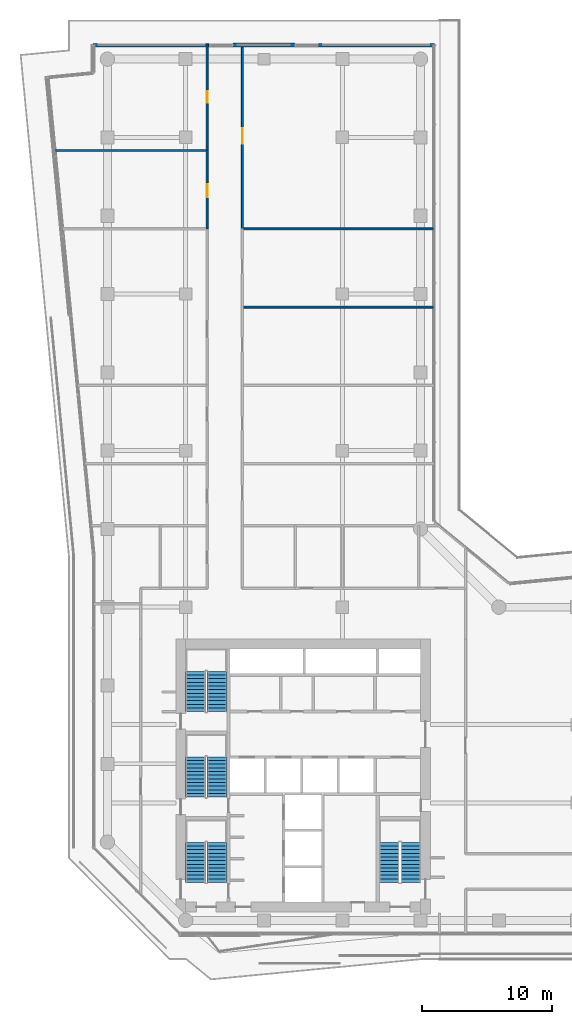
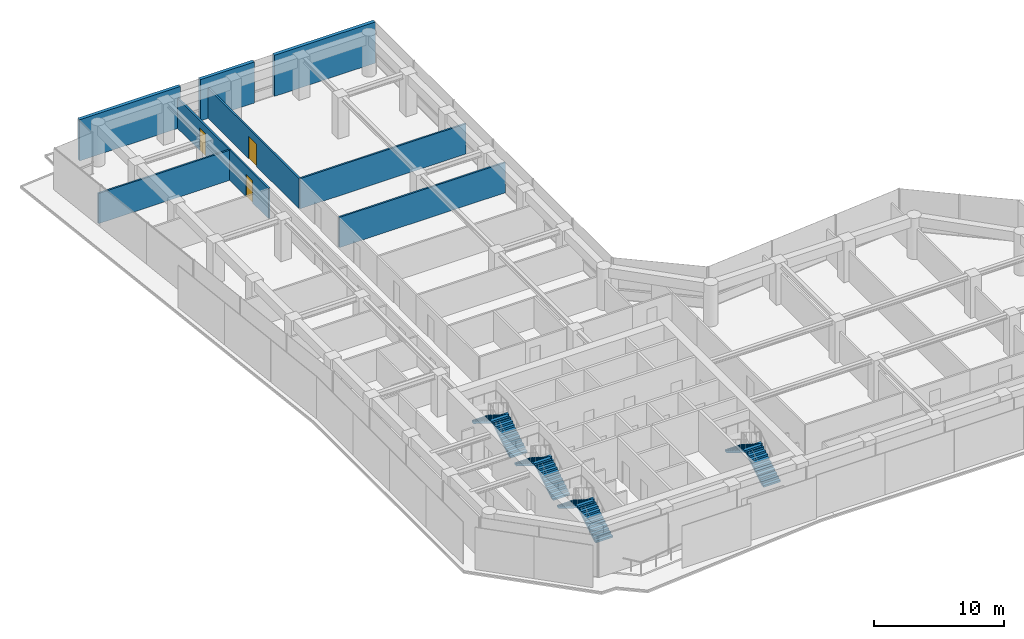
# One storey, part 26 of 28: 9 walls, 8 stair flights, 3 doors, 3 openings, 4 elements without a shape of their own.
"""IFC4 building model written with IfcOpenShell, lengths in metres."""

import ifcopenshell
import ifcopenshell.guid

model = None  # the IFC model being written
_history = None  # IfcOwnerHistory: only IFC2X3 demands one
_inside = {}  # id of a spatial element -> (the spatial element, [elements in it])
_under = {}  # id of a project, library or spatial element -> (it, [spatial elements below it])
_declared = {}  # id of a project -> (the project, [libraries it declares])
_typed = {}  # id of a type object -> (the type object, [elements of that type])
_made_of = {}  # id of a material, layer set ... -> (it, [elements and type objects made of it])


def new_model(schema):
    """Start an empty IFC model of exactly this schema.

    Asked for "IFC4X3", IfcOpenShell would pick the latest addendum, in which some entities
    have other attributes; the version numbers below select the first issue.
    IFC2X3 requires an IfcOwnerHistory on every rooted entity: one is made here for all.
    """
    global model, _history
    if schema == "IFC4X3":
        model = ifcopenshell.file(schema_version=(4, 3, 0, 0))
    else:
        model = ifcopenshell.file(schema=schema)
    _inside.clear()
    _under.clear()
    _declared.clear()
    _typed.clear()
    _made_of.clear()
    _history = None
    if model.schema == "IFC2X3":
        org = make("IfcOrganization", Name="unknown")
        user = make(
            "IfcPersonAndOrganization",
            ThePerson=make("IfcPerson", FamilyName="unknown"),
            TheOrganization=org,
        )
        app = make(
            "IfcApplication",
            ApplicationDeveloper=org,
            Version="unknown",
            ApplicationFullName="unknown",
            ApplicationIdentifier="unknown",
        )
        _history = make(
            "IfcOwnerHistory",
            OwningUser=user,
            OwningApplication=app,
            ChangeAction="ADDED",
            CreationDate=0,
        )
    return model


def make(cls, **values):
    """One entity of the class cls with the attributes given. An attribute that is None is left unset."""
    return model.create_entity(
        cls, **{name: value for name, value in values.items() if value is not None}
    )


def rooted(cls, **values):
    """An entity with a GlobalId (a new one), such as an element, a storey or a relation."""
    return make(cls, GlobalId=ifcopenshell.guid.new(), OwnerHistory=_history, **values)


def si_unit(unit_type, name, prefix=None):
    """IfcSIUnit, for example si_unit("LENGTHUNIT", "METRE", prefix="MILLI")."""
    return make("IfcSIUnit", UnitType=unit_type, Prefix=prefix, Name=name)


def assignment(units):
    """IfcUnitAssignment: the units of a project."""
    return None if units is None else make("IfcUnitAssignment", Units=units)


def point(xyz):
    """IfcCartesianPoint."""
    return None if xyz is None else make("IfcCartesianPoint", Coordinates=xyz)


def direction(xyz):
    """IfcDirection."""
    return None if xyz is None else make("IfcDirection", DirectionRatios=xyz)


def frame(location, z_axis=None, x_axis=None):
    """IfcAxis2Placement3D, a coordinate frame: its origin and axes. An axis left out is left unset."""
    return make(
        "IfcAxis2Placement3D",
        Location=point(location),
        Axis=direction(z_axis),
        RefDirection=direction(x_axis),
    )


def frame_2d(location, x_axis=None):
    """IfcAxis2Placement2D, a coordinate frame in the plane: its origin and x axis."""
    return make(
        "IfcAxis2Placement2D", Location=point(location), RefDirection=direction(x_axis)
    )


def origin():
    """The frame at (0, 0, 0) with its axes left unset."""
    return frame((0.0, 0.0, 0.0))


def place(relative_to, where):
    """IfcLocalPlacement: puts the frame where relative to a parent placement (None: the world)."""
    return make(
        "IfcLocalPlacement", PlacementRelTo=relative_to, RelativePlacement=where
    )


def context(
    kind, dimensions, precision=None, world=None, true_north=None, identifier=None
):
    """IfcGeometricRepresentationContext, for example the 3D "Model" context."""
    return make(
        "IfcGeometricRepresentationContext",
        ContextIdentifier=identifier,
        ContextType=kind,
        CoordinateSpaceDimension=dimensions,
        Precision=precision,
        WorldCoordinateSystem=world,
        TrueNorth=true_north,
    )


def subcontext(parent, identifier, kind, view, scale=None):
    """IfcGeometricRepresentationSubContext, for example "Body" below "Model"."""
    return make(
        "IfcGeometricRepresentationSubContext",
        ContextIdentifier=identifier,
        ContextType=kind,
        ParentContext=parent,
        TargetScale=scale,
        TargetView=view,
    )


def project(units=None, contexts=None):
    """IfcProject with its units and contexts."""
    return rooted(
        "IfcProject",
        Name="project",
        RepresentationContexts=contexts,
        UnitsInContext=assignment(units),
    )


def spatial(cls, under=None, at=None, **own):
    """A site, building, storey or space (cls), placed at a placement, below another one or the project."""
    s = rooted(cls, ObjectPlacement=at, **own)
    if under is not None:
        _under.setdefault(under.id(), (under, []))[1].append(s)
    return s


def polyline(points):
    """IfcPolyline through the points."""
    return make("IfcPolyline", Points=[point(p) for p in points])


def profile(cls, at=None, kind="AREA", **sizes):
    """A parametric profile (cls). Its sizes go by their IFC names, for example OverallWidth=200.0."""
    return make(cls, ProfileType=kind, Position=at, **sizes)


def rectangle(**sizes):
    """IfcRectangleProfileDef."""
    return profile("IfcRectangleProfileDef", **sizes)


def outline(outer, holes=None, kind="AREA"):
    """IfcArbitraryClosedProfileDef: a profile drawn as a closed curve; with holes, ...WithVoids."""
    if holes is None:
        return make("IfcArbitraryClosedProfileDef", ProfileType=kind, OuterCurve=outer)
    return make(
        "IfcArbitraryProfileDefWithVoids",
        ProfileType=kind,
        OuterCurve=outer,
        InnerCurves=holes,
    )


def extrude(swept, where, along, depth):
    """IfcExtrudedAreaSolid: the profile swept, set in the frame where, extruded along a direction by depth."""
    return make(
        "IfcExtrudedAreaSolid",
        SweptArea=swept,
        Position=where,
        ExtrudedDirection=direction(along),
        Depth=depth,
    )


def shape(context_of_items, identifier, shape_type, items):
    """IfcShapeRepresentation: the items that make up one representation, for example the "Body"."""
    return make(
        "IfcShapeRepresentation",
        ContextOfItems=context_of_items,
        RepresentationIdentifier=identifier,
        RepresentationType=shape_type,
        Items=items,
    )


def material(Name=None, Category=None):
    """IfcMaterial."""
    return make("IfcMaterial", Name=Name, Category=Category)


def layer(
    of_material, thickness, ventilated=None, Name=None, Category=None, Priority=None
):
    """IfcMaterialLayer: one layer of a wall or slab, of a material (None: an air gap)."""
    return make(
        "IfcMaterialLayer",
        Material=of_material,
        LayerThickness=thickness,
        IsVentilated=ventilated,
        Name=Name,
        Category=Category,
        Priority=Priority,
    )


def layer_set(layers, Name=None):
    """IfcMaterialLayerSet."""
    return make("IfcMaterialLayerSet", MaterialLayers=layers, LayerSetName=Name)


def made_of(thing, what):
    """Note that an element or type object is made of a material, layer set ...; save() writes the relation."""
    if what is not None:
        _made_of.setdefault(what.id(), (what, []))[1].append(thing)
    return thing


def type_object(cls, material=None, **own):
    """A type object (cls), such as IfcWallType, which elements share."""
    return made_of(rooted(cls, **own), material)


def element(
    cls,
    number,
    at=None,
    inside=None,
    cuts=None,
    type_object=None,
    material=None,
    context=None,
    identifier="Body",
    shape_type=None,
    held_by="IfcProductDefinitionShape",
    body=None,
    shapes=None,
    **own,
):
    """One element of the class cls, such as IfcWall. Its Tag is "e" and its number.

    at: its placement. inside: the storey or other place that contains it. cuts: it is an
    opening in that element (IfcRelVoidsElement). A single representation is given by context,
    identifier, shape_type and body (its items); several are given by shapes. held_by: the class
    of the entity that holds the representations. save() writes the other relations.
    """
    e = rooted(cls, Tag="e%d" % number, ObjectPlacement=at, **own)
    if body is not None:
        shapes = [shape(context, identifier, shape_type, body)]
    if shapes is not None:
        e.Representation = make(held_by, Representations=shapes)
    if inside is not None:
        _inside.setdefault(inside.id(), (inside, []))[1].append(e)
    if cuts is not None:
        rooted(
            "IfcRelVoidsElement", RelatingBuildingElement=cuts, RelatedOpeningElement=e
        )
    if type_object is not None:
        _typed.setdefault(type_object.id(), (type_object, []))[1].append(e)
    return made_of(e, material)


def fill(opening, filler):
    """IfcRelFillsElement: the door or window that sits in an opening."""
    return rooted(
        "IfcRelFillsElement",
        RelatingOpeningElement=opening,
        RelatedBuildingElement=filler,
    )


def aggregate(whole, parts):
    """IfcRelAggregates: a whole, such as a stair, and the parts it consists of."""
    return rooted("IfcRelAggregates", RelatingObject=whole, RelatedObjects=parts)


def save(model, path):
    """Write the relations noted so far, then the file.

    IfcRelAggregates (storeys below a building ...), IfcRelContainedInSpatialStructure (elements
    in a storey), IfcRelDefinesByType, IfcRelAssociatesMaterial and IfcRelDeclares: one each for
    every whole, place, type object, material and project.
    """
    for whole, parts in _under.values():
        aggregate(whole, parts)
    for where, things in _inside.values():
        rooted(
            "IfcRelContainedInSpatialStructure",
            RelatedElements=things,
            RelatingStructure=where,
        )
    for kind, things in _typed.values():
        rooted("IfcRelDefinesByType", RelatedObjects=things, RelatingType=kind)
    for what, things in _made_of.values():
        rooted("IfcRelAssociatesMaterial", RelatedObjects=things, RelatingMaterial=what)
    for by, libraries in _declared.values():
        rooted("IfcRelDeclares", RelatingContext=by, RelatedDefinitions=libraries)
    model.write(path)


model = new_model("IFC4")

# Units and contexts
model_context = context("Model", 3, precision=1e-05, world=origin(), true_north=direction((0.0, 1.0)))
body_context = subcontext(model_context, "Body", "Model", "MODEL_VIEW")
ifc_project = project(units=[si_unit("LENGTHUNIT", "METRE"), si_unit("AREAUNIT", "SQUARE_METRE"), si_unit("VOLUMEUNIT", "CUBIC_METRE"), si_unit("PLANEANGLEUNIT", "RADIAN"), si_unit("MASSUNIT", "GRAM", prefix="KILO")], contexts=[model_context])

# Site, building, storey
site_placement = place(None, origin())
site = spatial("IfcSite", under=ifc_project, at=site_placement, CompositionType="ELEMENT")
building_placement = place(site_placement, origin())
building = spatial("IfcBuilding", under=site, at=building_placement, Name="Welwitschia Terrace Campus", CompositionType="ELEMENT")
storey_placement = place(building_placement, frame((0.0, 0.0, 87.800048828125)))
storey = spatial("IfcBuildingStorey", under=building, at=storey_placement, Name="L19", CompositionType="ELEMENT", Elevation=87.800048828125)

# Wall
ifc_material_1 = material(Name="Gypsum board on steel studs", Category="steel")
ifc_layer_1 = layer(ifc_material_1, 0.14990234375)
ifc_layer_set_1 = layer_set([ifc_layer_1], Name="Gypsum board on steel studs")
wall_type_1 = type_object("IfcWallType", Name="Corridor partition 150 EI 30", PredefinedType="PARTITIONING", material=ifc_layer_set_1)
wall_1_placement = place(storey_placement, frame((-4.02001953125, 63.0, 0.0), z_axis=(0.0, 0.0, 1.0), x_axis=(1.0, 0.0, 0.0)))
element("IfcWall", 1, at=wall_1_placement, inside=storey, type_object=wall_type_1, Name="Partition", PredefinedType="PARTITIONING", context=body_context, shape_type="SweptSolid", body=[
    extrude(rectangle(XDim=11.669921875, YDim=0.14990234375, at=frame_2d((5.8349609375, 0.0))), origin(), (0.0, 0.0, 1.0), 2.829833984375),
])

# Wall, opening, door
wall_2_placement = place(storey_placement, frame((7.64990234375, 57.0, 0.0), z_axis=(0.0, 0.0, 1.0), x_axis=(0.0, 1.0, 0.0)))
wall_2 = element("IfcWall", 2, at=wall_2_placement, inside=storey, type_object=wall_type_1, Name="Partition", PredefinedType="PARTITIONING", context=body_context, shape_type="SweptSolid", body=[
    extrude(rectangle(XDim=6.0, YDim=0.14990234375, at=frame_2d((3.0, 0.0))), origin(), (0.0, 0.0, 1.0), 2.829833984375),
])
opening_1_placement = place(wall_2_placement, frame((2.39990234375, 0.0, 0.0)))
opening_1 = element("IfcOpeningElement", 3, at=opening_1_placement, cuts=wall_2, Name="Opening DI10", PredefinedType="OPENING", context=body_context, shape_type="SweptSolid", body=[
    extrude(rectangle(XDim=1.0, YDim=2.10009765625, at=frame_2d((0.5, 1.050048828125))), frame((0.0, 0.0849609375, 0.0), z_axis=(0.0, -1.0, 0.0), x_axis=(1.0, 0.0, 0.0)), (0.0, 0.0, 1.0), 0.169921875),
])
ifc_material_2 = material(Name="Timber veneered door", Category="wood")
door_type_1 = type_object("IfcDoorType", Name="Interior door DI10", OperationType="NOTDEFINED", PredefinedType="DOOR", material=ifc_material_2)
door_1_placement = place(opening_1_placement, origin())
door_1 = element("IfcDoor", 4, at=door_1_placement, inside=storey, type_object=door_type_1, Name="Door L19 425", OperationType="SINGLE_SWING_RIGHT", OverallHeight=2.10009765625, OverallWidth=1.0, PredefinedType="DOOR", context=body_context, shape_type="SweptSolid", body=[
    extrude(rectangle(XDim=1.0, YDim=2.10009765625, at=frame_2d((0.5, 1.050048828125))), frame((0.0, 0.02490234375, 0.0), z_axis=(0.0, -1.0, 0.0), x_axis=(1.0, 0.0, 0.0)), (0.0, 0.0, 1.0), 0.050048828125),
])
fill(opening_1, door_1)

wall_3_placement = place(storey_placement, frame((7.64990234375, 63.0, 0.0), z_axis=(0.0, 0.0, 1.0), x_axis=(0.0, 1.0, 0.0)))
wall_3 = element("IfcWall", 5, at=wall_3_placement, inside=storey, type_object=wall_type_1, Name="Partition", PredefinedType="PARTITIONING", context=body_context, shape_type="SweptSolid", body=[
    extrude(rectangle(XDim=8.14599609375, YDim=0.14990234375, at=frame_2d((4.072998046875, 0.0))), origin(), (0.0, 0.0, 1.0), 2.829833984375),
])
opening_2_placement = place(wall_3_placement, frame((3.639892578125, 0.0, 0.0)))
opening_2 = element("IfcOpeningElement", 6, at=opening_2_placement, cuts=wall_3, Name="Opening DI09", PredefinedType="OPENING", context=body_context, shape_type="SweptSolid", body=[
    extrude(rectangle(XDim=0.89990234375, YDim=2.10009765625, at=frame_2d((0.449951171875, 1.050048828125))), frame((0.0, 0.0849609375, 0.0), z_axis=(0.0, -1.0, 0.0), x_axis=(1.0, 0.0, 0.0)), (0.0, 0.0, 1.0), 0.169921875),
])
ifc_material_3 = material(Name="Timber veneered door", Category="wood")
door_type_2 = type_object("IfcDoorType", Name="Interior door DI09", OperationType="NOTDEFINED", PredefinedType="DOOR", material=ifc_material_3)
door_2_placement = place(opening_2_placement, origin())
door_2 = element("IfcDoor", 7, at=door_2_placement, inside=storey, type_object=door_type_2, Name="Door L19 426", OperationType="SINGLE_SWING_LEFT", OverallHeight=2.10009765625, OverallWidth=0.89990234375, PredefinedType="DOOR", context=body_context, shape_type="SweptSolid", body=[
    extrude(rectangle(XDim=0.89990234375, YDim=2.10009765625, at=frame_2d((0.449951171875, 1.050048828125))), frame((0.0, 0.02490234375, 0.0), z_axis=(0.0, -1.0, 0.0), x_axis=(1.0, 0.0, 0.0)), (0.0, 0.0, 1.0), 0.050048828125),
])
fill(opening_2, door_2)

# Walls
for number, where, z_axis, x_axis, name in (
    (8, (10.35009765625, 51.0, 0.0), (0.0, 0.0, 1.0), (1.0, 0.0, 0.0), "Partition"),
    (9, (10.35009765625, 57.0, 0.0), (0.0, 0.0, 1.0), (1.0, 0.0, 0.0), "Partition"),
):
    element("IfcWall", number, at=place(storey_placement, frame(where, z_axis=z_axis, x_axis=x_axis)), inside=storey, type_object=wall_type_1, Name=name, PredefinedType="PARTITIONING", context=body_context, shape_type="SweptSolid", body=[
        extrude(rectangle(XDim=14.68994140625, YDim=0.14990234375, at=frame_2d((7.344970703125, 0.0))), origin(), (0.0, 0.0, 1.0), 2.829833984375),
    ])

# Wall, opening, door
wall_4_placement = place(storey_placement, frame((10.35009765625, 71.14599609375, 0.0), z_axis=(0.0, 0.0, 1.0), x_axis=(0.0, -1.0, 0.0)))
wall_4 = element("IfcWall", 10, at=wall_4_placement, inside=storey, type_object=wall_type_1, Name="Partition", PredefinedType="PARTITIONING", context=body_context, shape_type="SweptSolid", body=[
    extrude(rectangle(XDim=14.14599609375, YDim=0.14990234375, at=frame_2d((7.072998046875, 0.0))), origin(), (0.0, 0.0, 1.0), 2.829833984375),
])
opening_3_placement = place(wall_4_placement, frame((6.446044921875, 0.0, 0.0)))
opening_3 = element("IfcOpeningElement", 11, at=opening_3_placement, cuts=wall_4, Name="Opening DI12", PredefinedType="OPENING", context=body_context, shape_type="SweptSolid", body=[
    extrude(rectangle(XDim=1.199951171875, YDim=2.10009765625, at=frame_2d((0.60009765625, 1.050048828125))), frame((0.0, 0.0849609375, 0.0), z_axis=(0.0, -1.0, 0.0), x_axis=(1.0, 0.0, 0.0)), (0.0, 0.0, 1.0), 0.169921875),
])
ifc_material_4 = material(Name="Timber veneered door", Category="wood")
door_type_3 = type_object("IfcDoorType", Name="Interior door DI12", OperationType="NOTDEFINED", PredefinedType="DOOR", material=ifc_material_4)
door_3_placement = place(opening_3_placement, origin())
door_3 = element("IfcDoor", 12, at=door_3_placement, inside=storey, type_object=door_type_3, Name="Door L19 431", OperationType="SINGLE_SWING_RIGHT", OverallHeight=2.10009765625, OverallWidth=1.199951171875, PredefinedType="DOOR", context=body_context, shape_type="SweptSolid", body=[
    extrude(rectangle(XDim=1.199951171875, YDim=2.10009765625, at=frame_2d((0.60009765625, 1.050048828125))), frame((0.0, 0.02490234375, 0.0), z_axis=(0.0, -1.0, 0.0), x_axis=(1.0, 0.0, 0.0)), (0.0, 0.0, 1.0), 0.050048828125),
])
fill(opening_3, door_3)

# Walls
ifc_material_5 = material(Name="Concrete C40/50", Category="concrete")
ifc_layer_2 = layer(ifc_material_5, 0.300048828125)
ifc_layer_set_2 = layer_set([ifc_layer_2], Name="Concrete C40/50")
wall_type_2 = type_object("IfcWallType", Name="Mass wall 300", PredefinedType="SOLIDWALL", material=ifc_layer_set_2)
wall_5_placement = place(storey_placement, frame((25.0859375, 71.06787109375, 0.0), z_axis=(0.0, 0.0, 1.0), x_axis=(-1.0, 0.0, 0.0)))
element("IfcWall", 13, at=wall_5_placement, inside=storey, type_object=wall_type_2, Name="Mass wall L19.12.0", PredefinedType="SOLIDWALL", context=body_context, shape_type="SweptSolid", body=[
    extrude(rectangle(XDim=8.91455078125, YDim=0.300048828125, at=frame_2d((4.457275390625, 0.0))), origin(), (0.0, 0.0, 1.0), 3.849853515625),
])
wall_6_placement = place(storey_placement, frame((14.37158203125, 71.080078125, 0.0), z_axis=(0.0, 0.0, 1.0), x_axis=(-1.0, 0.0, 0.0)))
element("IfcWall", 14, at=wall_6_placement, inside=storey, type_object=wall_type_2, Name="Mass wall L19.12.1", PredefinedType="SOLIDWALL", context=body_context, shape_type="SweptSolid", body=[
    extrude(rectangle(XDim=4.7431640625, YDim=0.300048828125, at=frame_2d((2.37158203125, 0.0))), origin(), (0.0, 0.0, 1.0), 3.849853515625),
])
wall_7_placement = place(storey_placement, frame((7.82861328125, 71.06787109375, 0.0), z_axis=(0.0, 0.0, 1.0), x_axis=(-1.0, 0.0, 0.0)))
element("IfcWall", 15, at=wall_7_placement, inside=storey, type_object=wall_type_2, Name="Mass wall L19.12.2", PredefinedType="SOLIDWALL", context=body_context, shape_type="SweptSolid", body=[
    extrude(rectangle(XDim=8.91455078125, YDim=0.300048828125, at=frame_2d((4.457275390625, 0.0))), origin(), (0.0, 0.0, 1.0), 3.849853515625),
])

# Stair, stair flights
ifc_material_6 = material(Name="Concrete C40/50", Category="concrete")
stair_type = type_object("IfcStairType", Name="Stair 24R 175 W1500", PredefinedType="HALF_TURN_STAIR", material=ifc_material_6)
stair_1_placement = place(storey_placement, origin())
stair_1 = element("IfcStair", 16, at=stair_1_placement, inside=storey, type_object=stair_type, Name="L19 Exit stair S1", PredefinedType="HALF_TURN_STAIR")
ifc_material_7 = material(Name="Concrete C40/50", Category="concrete")
stair_flight_type = type_object("IfcStairFlightType", Name="Stair flight 24R 175 W1500", PredefinedType="STRAIGHT", material=ifc_material_7)
stair_flight_1_placement = place(storey_placement, frame((8.39990234375, 6.89990234375, 0.0), z_axis=(0.0, 0.0, 1.0), x_axis=(0.0, 1.0, 0.0)))
stair_flight_1 = element("IfcStairFlight", 17, at=stair_flight_1_placement, type_object=stair_flight_type, Name="S1 flight 1", NumberOfRisers=12, NumberOfTreads=11, PredefinedType="STRAIGHT", RiserHeight=0.175, TreadLength=0.28, context=body_context, shape_type="SweptSolid", body=[
    extrude(outline(polyline([(0.0, 0.0), (0.0, 0.175048828125), (0.280029296875, 0.175048828125), (0.280029296875, 0.35009765625), (0.56005859375, 0.35009765625), (0.56005859375, 0.52490234375), (0.840087890625, 0.52490234375), (0.840087890625, 0.699951171875), (1.1201171875, 0.699951171875), (1.1201171875, 0.875), (1.39990234375, 0.875), (1.39990234375, 1.050048828125), (1.679931640625, 1.050048828125), (1.679931640625, 1.22509765625), (1.9599609375, 1.22509765625), (1.9599609375, 1.39990234375), (2.239990234375, 1.39990234375), (2.239990234375, 1.574951171875), (2.52001953125, 1.574951171875), (2.52001953125, 1.75), (2.800048828125, 1.75), (2.800048828125, 1.925048828125), (3.080078125, 1.925048828125), (3.080078125, 2.10009765625), (3.080078125, 1.748291015625), (0.28271484375, 0.0), (0.0, 0.0)])), frame((0.0, 0.75, 0.0), z_axis=(0.0, -1.0, 0.0), x_axis=(1.0, 0.0, 0.0)), (0.0, 0.0, 1.0), 1.5),
])
stair_flight_2_placement = place(storey_placement, frame((6.75, 9.97998046875, 2.099853515625), z_axis=(0.0, 0.0, 1.0), x_axis=(0.0, -1.0, 0.0)))
stair_flight_2 = element("IfcStairFlight", 18, at=stair_flight_2_placement, type_object=stair_flight_type, Name="S1 flight 2", NumberOfRisers=12, NumberOfTreads=11, PredefinedType="STRAIGHT", RiserHeight=0.175, TreadLength=0.28, context=body_context, shape_type="SweptSolid", body=[
    extrude(outline(polyline([(0.0, 0.0), (0.0, 0.175048828125), (0.280029296875, 0.175048828125), (0.280029296875, 0.35009765625), (0.56005859375, 0.35009765625), (0.56005859375, 0.52490234375), (0.840087890625, 0.52490234375), (0.840087890625, 0.699951171875), (1.1201171875, 0.699951171875), (1.1201171875, 0.875), (1.39990234375, 0.875), (1.39990234375, 1.050048828125), (1.679931640625, 1.050048828125), (1.679931640625, 1.22509765625), (1.9599609375, 1.22509765625), (1.9599609375, 1.39990234375), (2.239990234375, 1.39990234375), (2.239990234375, 1.574951171875), (2.52001953125, 1.574951171875), (2.52001953125, 1.75), (2.800048828125, 1.75), (2.800048828125, 1.925048828125), (3.080078125, 1.925048828125), (3.080078125, 2.10009765625), (3.080078125, 1.748291015625), (0.28271484375, 0.0), (0.0, 0.0)])), frame((0.0, 0.75, 0.0), z_axis=(0.0, -1.0, 0.0), x_axis=(1.0, 0.0, 0.0)), (0.0, 0.0, 1.0), 1.5),
])
aggregate(stair_1, [stair_flight_1, stair_flight_2])

stair_2_placement = place(storey_placement, origin())
stair_2 = element("IfcStair", 19, at=stair_2_placement, inside=storey, type_object=stair_type, Name="L19 Exit stair S3", PredefinedType="HALF_TURN_STAIR")
stair_flight_3_placement = place(storey_placement, frame((8.39990234375, 13.449951171875, 0.0), z_axis=(0.0, 0.0, 1.0), x_axis=(0.0, 1.0, 0.0)))
stair_flight_3 = element("IfcStairFlight", 20, at=stair_flight_3_placement, type_object=stair_flight_type, Name="S3 flight 1", NumberOfRisers=12, NumberOfTreads=11, PredefinedType="STRAIGHT", RiserHeight=0.175, TreadLength=0.28, context=body_context, shape_type="SweptSolid", body=[
    extrude(outline(polyline([(0.0, 0.0), (0.0, 0.175048828125), (0.280029296875, 0.175048828125), (0.280029296875, 0.35009765625), (0.56005859375, 0.35009765625), (0.56005859375, 0.52490234375), (0.840087890625, 0.52490234375), (0.840087890625, 0.699951171875), (1.1201171875, 0.699951171875), (1.1201171875, 0.875), (1.39990234375, 0.875), (1.39990234375, 1.050048828125), (1.679931640625, 1.050048828125), (1.679931640625, 1.22509765625), (1.9599609375, 1.22509765625), (1.9599609375, 1.39990234375), (2.239990234375, 1.39990234375), (2.239990234375, 1.574951171875), (2.52001953125, 1.574951171875), (2.52001953125, 1.75), (2.800048828125, 1.75), (2.800048828125, 1.925048828125), (3.080078125, 1.925048828125), (3.080078125, 2.10009765625), (3.080078125, 1.748291015625), (0.28271484375, 0.0), (0.0, 0.0)])), frame((0.0, 0.75, 0.0), z_axis=(0.0, -1.0, 0.0), x_axis=(1.0, 0.0, 0.0)), (0.0, 0.0, 1.0), 1.5),
])
stair_flight_4_placement = place(storey_placement, frame((6.75, 16.530029296875, 2.099853515625), z_axis=(0.0, 0.0, 1.0), x_axis=(0.0, -1.0, 0.0)))
stair_flight_4 = element("IfcStairFlight", 21, at=stair_flight_4_placement, type_object=stair_flight_type, Name="S3 flight 2", NumberOfRisers=12, NumberOfTreads=11, PredefinedType="STRAIGHT", RiserHeight=0.175, TreadLength=0.28, context=body_context, shape_type="SweptSolid", body=[
    extrude(outline(polyline([(0.0, 0.0), (0.0, 0.175048828125), (0.280029296875, 0.175048828125), (0.280029296875, 0.35009765625), (0.56005859375, 0.35009765625), (0.56005859375, 0.52490234375), (0.840087890625, 0.52490234375), (0.840087890625, 0.699951171875), (1.1201171875, 0.699951171875), (1.1201171875, 0.875), (1.39990234375, 0.875), (1.39990234375, 1.050048828125), (1.679931640625, 1.050048828125), (1.679931640625, 1.22509765625), (1.9599609375, 1.22509765625), (1.9599609375, 1.39990234375), (2.239990234375, 1.39990234375), (2.239990234375, 1.574951171875), (2.52001953125, 1.574951171875), (2.52001953125, 1.75), (2.800048828125, 1.75), (2.800048828125, 1.925048828125), (3.080078125, 1.925048828125), (3.080078125, 2.10009765625), (3.080078125, 1.748291015625), (0.28271484375, 0.0), (0.0, 0.0)])), frame((0.0, 0.75, 0.0), z_axis=(0.0, -1.0, 0.0), x_axis=(1.0, 0.0, 0.0)), (0.0, 0.0, 1.0), 1.5),
])
aggregate(stair_2, [stair_flight_3, stair_flight_4])

stair_3_placement = place(storey_placement, origin())
stair_3 = element("IfcStair", 22, at=stair_3_placement, inside=storey, type_object=stair_type, Name="L19 Exit stair S4", PredefinedType="HALF_TURN_STAIR")
stair_flight_5_placement = place(storey_placement, frame((8.39990234375, 20.0, 0.0), z_axis=(0.0, 0.0, 1.0), x_axis=(0.0, 1.0, 0.0)))
stair_flight_5 = element("IfcStairFlight", 23, at=stair_flight_5_placement, type_object=stair_flight_type, Name="S4 flight 1", NumberOfRisers=12, NumberOfTreads=11, PredefinedType="STRAIGHT", RiserHeight=0.175, TreadLength=0.28, context=body_context, shape_type="SweptSolid", body=[
    extrude(outline(polyline([(0.0, 0.0), (0.0, 0.175048828125), (0.280029296875, 0.175048828125), (0.280029296875, 0.35009765625), (0.56005859375, 0.35009765625), (0.56005859375, 0.52490234375), (0.840087890625, 0.52490234375), (0.840087890625, 0.699951171875), (1.1201171875, 0.699951171875), (1.1201171875, 0.875), (1.39990234375, 0.875), (1.39990234375, 1.050048828125), (1.679931640625, 1.050048828125), (1.679931640625, 1.22509765625), (1.9599609375, 1.22509765625), (1.9599609375, 1.39990234375), (2.239990234375, 1.39990234375), (2.239990234375, 1.574951171875), (2.52001953125, 1.574951171875), (2.52001953125, 1.75), (2.800048828125, 1.75), (2.800048828125, 1.925048828125), (3.080078125, 1.925048828125), (3.080078125, 2.10009765625), (3.080078125, 1.748291015625), (0.28271484375, 0.0), (0.0, 0.0)])), frame((0.0, 0.75, 0.0), z_axis=(0.0, -1.0, 0.0), x_axis=(1.0, 0.0, 0.0)), (0.0, 0.0, 1.0), 1.5),
])
stair_flight_6_placement = place(storey_placement, frame((6.75, 23.080078125, 2.099853515625), z_axis=(0.0, 0.0, 1.0), x_axis=(0.0, -1.0, 0.0)))
stair_flight_6 = element("IfcStairFlight", 24, at=stair_flight_6_placement, type_object=stair_flight_type, Name="S4 flight 2", NumberOfRisers=12, NumberOfTreads=11, PredefinedType="STRAIGHT", RiserHeight=0.175, TreadLength=0.28, context=body_context, shape_type="SweptSolid", body=[
    extrude(outline(polyline([(0.0, 0.0), (0.0, 0.175048828125), (0.280029296875, 0.175048828125), (0.280029296875, 0.35009765625), (0.56005859375, 0.35009765625), (0.56005859375, 0.52490234375), (0.840087890625, 0.52490234375), (0.840087890625, 0.699951171875), (1.1201171875, 0.699951171875), (1.1201171875, 0.875), (1.39990234375, 0.875), (1.39990234375, 1.050048828125), (1.679931640625, 1.050048828125), (1.679931640625, 1.22509765625), (1.9599609375, 1.22509765625), (1.9599609375, 1.39990234375), (2.239990234375, 1.39990234375), (2.239990234375, 1.574951171875), (2.52001953125, 1.574951171875), (2.52001953125, 1.75), (2.800048828125, 1.75), (2.800048828125, 1.925048828125), (3.080078125, 1.925048828125), (3.080078125, 2.10009765625), (3.080078125, 1.748291015625), (0.28271484375, 0.0), (0.0, 0.0)])), frame((0.0, 0.75, 0.0), z_axis=(0.0, -1.0, 0.0), x_axis=(1.0, 0.0, 0.0)), (0.0, 0.0, 1.0), 1.5),
])
aggregate(stair_3, [stair_flight_5, stair_flight_6])

stair_4_placement = place(storey_placement, origin())
stair_4 = element("IfcStair", 25, at=stair_4_placement, inside=storey, type_object=stair_type, Name="L19 Exit stair S2", PredefinedType="HALF_TURN_STAIR")
stair_flight_7_placement = place(storey_placement, frame((23.25, 6.89990234375, 0.0), z_axis=(0.0, 0.0, 1.0), x_axis=(0.0, 1.0, 0.0)))
stair_flight_7 = element("IfcStairFlight", 26, at=stair_flight_7_placement, type_object=stair_flight_type, Name="S2 flight 1", NumberOfRisers=12, NumberOfTreads=11, PredefinedType="STRAIGHT", RiserHeight=0.175, TreadLength=0.28, context=body_context, shape_type="SweptSolid", body=[
    extrude(outline(polyline([(0.0, 0.0), (0.0, 0.175048828125), (0.280029296875, 0.175048828125), (0.280029296875, 0.35009765625), (0.56005859375, 0.35009765625), (0.56005859375, 0.52490234375), (0.840087890625, 0.52490234375), (0.840087890625, 0.699951171875), (1.1201171875, 0.699951171875), (1.1201171875, 0.875), (1.39990234375, 0.875), (1.39990234375, 1.050048828125), (1.679931640625, 1.050048828125), (1.679931640625, 1.22509765625), (1.9599609375, 1.22509765625), (1.9599609375, 1.39990234375), (2.239990234375, 1.39990234375), (2.239990234375, 1.574951171875), (2.52001953125, 1.574951171875), (2.52001953125, 1.75), (2.800048828125, 1.75), (2.800048828125, 1.925048828125), (3.080078125, 1.925048828125), (3.080078125, 2.10009765625), (3.080078125, 1.748291015625), (0.28271484375, 0.0), (0.0, 0.0)])), frame((0.0, 0.75, 0.0), z_axis=(0.0, -1.0, 0.0), x_axis=(1.0, 0.0, 0.0)), (0.0, 0.0, 1.0), 1.5),
])
stair_flight_8_placement = place(storey_placement, frame((21.60009765625, 9.97998046875, 2.099853515625), z_axis=(0.0, 0.0, 1.0), x_axis=(0.0, -1.0, 0.0)))
stair_flight_8 = element("IfcStairFlight", 27, at=stair_flight_8_placement, type_object=stair_flight_type, Name="S2 flight 2", NumberOfRisers=12, NumberOfTreads=11, PredefinedType="STRAIGHT", RiserHeight=0.175, TreadLength=0.28, context=body_context, shape_type="SweptSolid", body=[
    extrude(outline(polyline([(0.0, 0.0), (0.0, 0.175048828125), (0.280029296875, 0.175048828125), (0.280029296875, 0.35009765625), (0.56005859375, 0.35009765625), (0.56005859375, 0.52490234375), (0.840087890625, 0.52490234375), (0.840087890625, 0.699951171875), (1.1201171875, 0.699951171875), (1.1201171875, 0.875), (1.39990234375, 0.875), (1.39990234375, 1.050048828125), (1.679931640625, 1.050048828125), (1.679931640625, 1.22509765625), (1.9599609375, 1.22509765625), (1.9599609375, 1.39990234375), (2.239990234375, 1.39990234375), (2.239990234375, 1.574951171875), (2.52001953125, 1.574951171875), (2.52001953125, 1.75), (2.800048828125, 1.75), (2.800048828125, 1.925048828125), (3.080078125, 1.925048828125), (3.080078125, 2.10009765625), (3.080078125, 1.748291015625), (0.28271484375, 0.0), (0.0, 0.0)])), frame((0.0, 0.75, 0.0), z_axis=(0.0, -1.0, 0.0), x_axis=(1.0, 0.0, 0.0)), (0.0, 0.0, 1.0), 1.5),
])
aggregate(stair_4, [stair_flight_7, stair_flight_8])

save(model, "model.ifc")
